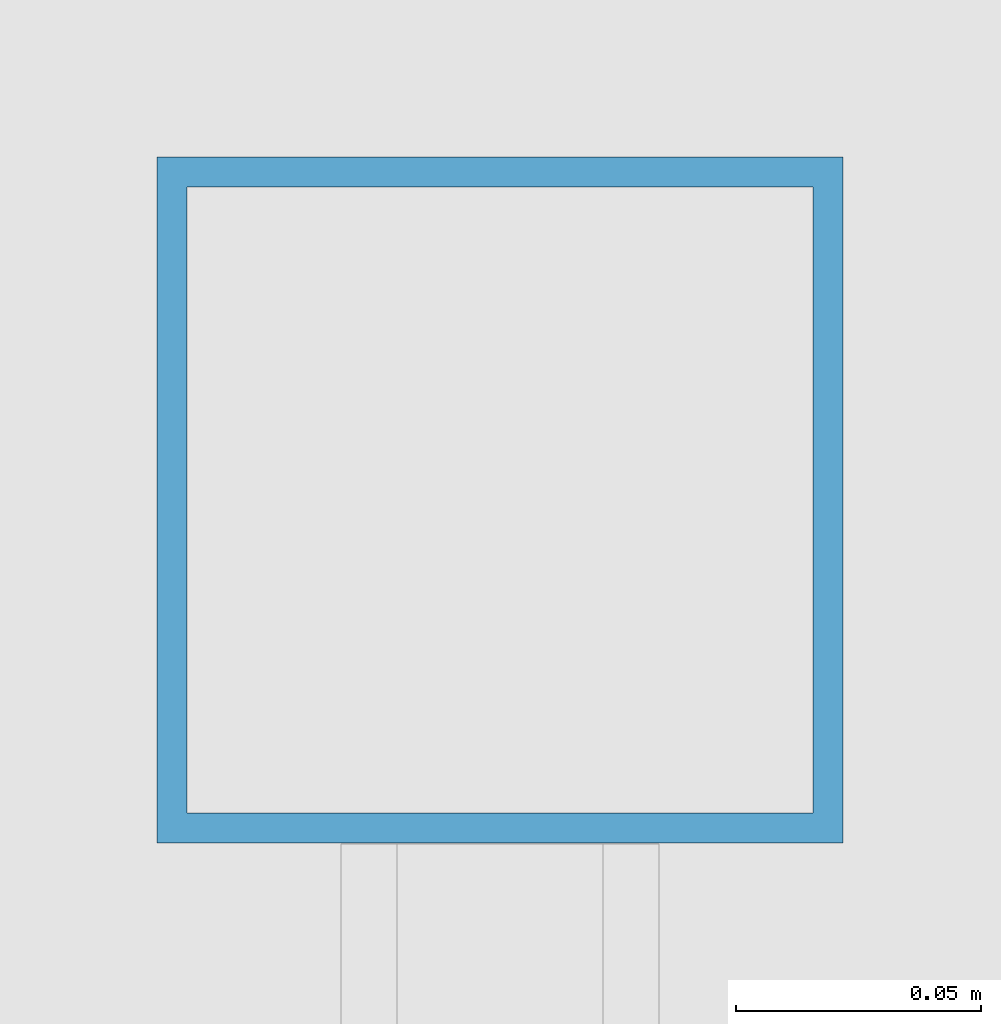
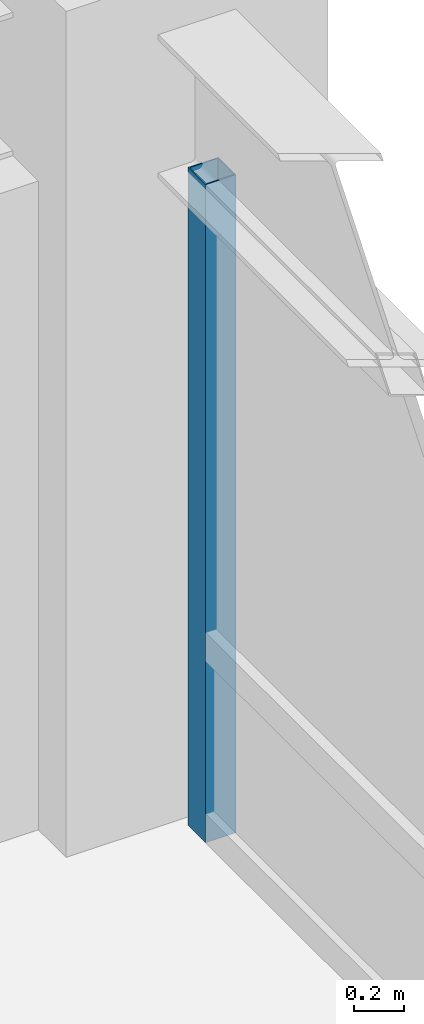
# One storey, part 16 of 28: 1 member, 1 element without a shape of its own.
"""IFC4 building model written with IfcOpenShell, lengths in metres."""

import ifcopenshell
import ifcopenshell.guid

model = None  # the IFC model being written
_history = None  # IfcOwnerHistory: only IFC2X3 demands one
_inside = {}  # id of a spatial element -> (the spatial element, [elements in it])
_under = {}  # id of a project, library or spatial element -> (it, [spatial elements below it])
_declared = {}  # id of a project -> (the project, [libraries it declares])
_typed = {}  # id of a type object -> (the type object, [elements of that type])
_made_of = {}  # id of a material, layer set ... -> (it, [elements and type objects made of it])


def new_model(schema):
    """Start an empty IFC model of exactly this schema.

    Asked for "IFC4X3", IfcOpenShell would pick the latest addendum, in which some entities
    have other attributes; the version numbers below select the first issue.
    IFC2X3 requires an IfcOwnerHistory on every rooted entity: one is made here for all.
    """
    global model, _history
    if schema == "IFC4X3":
        model = ifcopenshell.file(schema_version=(4, 3, 0, 0))
    else:
        model = ifcopenshell.file(schema=schema)
    _inside.clear()
    _under.clear()
    _declared.clear()
    _typed.clear()
    _made_of.clear()
    _history = None
    if model.schema == "IFC2X3":
        org = make("IfcOrganization", Name="unknown")
        user = make(
            "IfcPersonAndOrganization",
            ThePerson=make("IfcPerson", FamilyName="unknown"),
            TheOrganization=org,
        )
        app = make(
            "IfcApplication",
            ApplicationDeveloper=org,
            Version="unknown",
            ApplicationFullName="unknown",
            ApplicationIdentifier="unknown",
        )
        _history = make(
            "IfcOwnerHistory",
            OwningUser=user,
            OwningApplication=app,
            ChangeAction="ADDED",
            CreationDate=0,
        )
    return model


def make(cls, **values):
    """One entity of the class cls with the attributes given. An attribute that is None is left unset."""
    return model.create_entity(
        cls, **{name: value for name, value in values.items() if value is not None}
    )


def rooted(cls, **values):
    """An entity with a GlobalId (a new one), such as an element, a storey or a relation."""
    return make(cls, GlobalId=ifcopenshell.guid.new(), OwnerHistory=_history, **values)


def si_unit(unit_type, name, prefix=None):
    """IfcSIUnit, for example si_unit("LENGTHUNIT", "METRE", prefix="MILLI")."""
    return make("IfcSIUnit", UnitType=unit_type, Prefix=prefix, Name=name)


def assignment(units):
    """IfcUnitAssignment: the units of a project."""
    return None if units is None else make("IfcUnitAssignment", Units=units)


def point(xyz):
    """IfcCartesianPoint."""
    return None if xyz is None else make("IfcCartesianPoint", Coordinates=xyz)


def direction(xyz):
    """IfcDirection."""
    return None if xyz is None else make("IfcDirection", DirectionRatios=xyz)


def frame(location, z_axis=None, x_axis=None):
    """IfcAxis2Placement3D, a coordinate frame: its origin and axes. An axis left out is left unset."""
    return make(
        "IfcAxis2Placement3D",
        Location=point(location),
        Axis=direction(z_axis),
        RefDirection=direction(x_axis),
    )


def frame_2d(location, x_axis=None):
    """IfcAxis2Placement2D, a coordinate frame in the plane: its origin and x axis."""
    return make(
        "IfcAxis2Placement2D", Location=point(location), RefDirection=direction(x_axis)
    )


def origin():
    """The frame at (0, 0, 0) with its axes left unset."""
    return frame((0.0, 0.0, 0.0))


def origin_2d():
    """The frame at (0, 0) in the plane with its x axis left unset."""
    return frame_2d((0.0, 0.0))


def place(relative_to, where):
    """IfcLocalPlacement: puts the frame where relative to a parent placement (None: the world)."""
    return make(
        "IfcLocalPlacement", PlacementRelTo=relative_to, RelativePlacement=where
    )


def context(
    kind, dimensions, precision=None, world=None, true_north=None, identifier=None
):
    """IfcGeometricRepresentationContext, for example the 3D "Model" context."""
    return make(
        "IfcGeometricRepresentationContext",
        ContextIdentifier=identifier,
        ContextType=kind,
        CoordinateSpaceDimension=dimensions,
        Precision=precision,
        WorldCoordinateSystem=world,
        TrueNorth=true_north,
    )


def subcontext(parent, identifier, kind, view, scale=None):
    """IfcGeometricRepresentationSubContext, for example "Body" below "Model"."""
    return make(
        "IfcGeometricRepresentationSubContext",
        ContextIdentifier=identifier,
        ContextType=kind,
        ParentContext=parent,
        TargetScale=scale,
        TargetView=view,
    )


def project(units=None, contexts=None):
    """IfcProject with its units and contexts."""
    return rooted(
        "IfcProject",
        Name="project",
        RepresentationContexts=contexts,
        UnitsInContext=assignment(units),
    )


def spatial(cls, under=None, at=None, **own):
    """A site, building, storey or space (cls), placed at a placement, below another one or the project."""
    s = rooted(cls, ObjectPlacement=at, **own)
    if under is not None:
        _under.setdefault(under.id(), (under, []))[1].append(s)
    return s


def profile(cls, at=None, kind="AREA", **sizes):
    """A parametric profile (cls). Its sizes go by their IFC names, for example OverallWidth=200.0."""
    return make(cls, ProfileType=kind, Position=at, **sizes)


def hollow_rectangle(**sizes):
    """IfcRectangleHollowProfileDef."""
    return profile("IfcRectangleHollowProfileDef", **sizes)


def extrude(swept, where, along, depth):
    """IfcExtrudedAreaSolid: the profile swept, set in the frame where, extruded along a direction by depth."""
    return make(
        "IfcExtrudedAreaSolid",
        SweptArea=swept,
        Position=where,
        ExtrudedDirection=direction(along),
        Depth=depth,
    )


def shape(context_of_items, identifier, shape_type, items):
    """IfcShapeRepresentation: the items that make up one representation, for example the "Body"."""
    return make(
        "IfcShapeRepresentation",
        ContextOfItems=context_of_items,
        RepresentationIdentifier=identifier,
        RepresentationType=shape_type,
        Items=items,
    )


def source(mapping_origin, context_of_items, identifier, shape_type, items):
    """IfcRepresentationMap: a shape defined once, which mapped items show again and again."""
    return make(
        "IfcRepresentationMap",
        MappingOrigin=mapping_origin,
        MappedRepresentation=shape(context_of_items, identifier, shape_type, items),
    )


def transform(
    local_origin,
    x_axis=None,
    y_axis=None,
    z_axis=None,
    scale=None,
    scale2=None,
    scale3=None,
    uniform=True,
):
    """IfcCartesianTransformationOperator3D, or its non-uniform kind. x_axis, y_axis, z_axis: its Axis1, 2, 3."""
    if uniform:
        return make(
            "IfcCartesianTransformationOperator3D",
            Axis1=direction(x_axis),
            Axis2=direction(y_axis),
            LocalOrigin=point(local_origin),
            Scale=scale,
            Axis3=direction(z_axis),
        )
    return make(
        "IfcCartesianTransformationOperator3DnonUniform",
        Axis1=direction(x_axis),
        Axis2=direction(y_axis),
        LocalOrigin=point(local_origin),
        Scale=scale,
        Axis3=direction(z_axis),
        Scale2=scale2,
        Scale3=scale3,
    )


def mapped(mapping_source, mapping_target):
    """IfcMappedItem: shows the shape of a source again, moved by a transform."""
    return make(
        "IfcMappedItem", MappingSource=mapping_source, MappingTarget=mapping_target
    )


def material(Name=None, Category=None):
    """IfcMaterial."""
    return make("IfcMaterial", Name=Name, Category=Category)


def material_profile(
    of_material, cross_section, Name=None, Category=None, Priority=None
):
    """IfcMaterialProfile: a cross section and its material."""
    return make(
        "IfcMaterialProfile",
        Name=Name,
        Material=of_material,
        Profile=cross_section,
        Priority=Priority,
        Category=Category,
    )


def profile_set(profiles, Name=None, composite=None):
    """IfcMaterialProfileSet."""
    return make(
        "IfcMaterialProfileSet",
        Name=Name,
        MaterialProfiles=profiles,
        CompositeProfile=composite,
    )


def made_of(thing, what):
    """Note that an element or type object is made of a material, layer set ...; save() writes the relation."""
    if what is not None:
        _made_of.setdefault(what.id(), (what, []))[1].append(thing)
    return thing


def type_object(cls, material=None, **own):
    """A type object (cls), such as IfcWallType, which elements share."""
    return made_of(rooted(cls, **own), material)


def element(
    cls,
    number,
    at=None,
    inside=None,
    cuts=None,
    type_object=None,
    material=None,
    context=None,
    identifier="Body",
    shape_type=None,
    held_by="IfcProductDefinitionShape",
    body=None,
    shapes=None,
    **own,
):
    """One element of the class cls, such as IfcWall. Its Tag is "e" and its number.

    at: its placement. inside: the storey or other place that contains it. cuts: it is an
    opening in that element (IfcRelVoidsElement). A single representation is given by context,
    identifier, shape_type and body (its items); several are given by shapes. held_by: the class
    of the entity that holds the representations. save() writes the other relations.
    """
    e = rooted(cls, Tag="e%d" % number, ObjectPlacement=at, **own)
    if body is not None:
        shapes = [shape(context, identifier, shape_type, body)]
    if shapes is not None:
        e.Representation = make(held_by, Representations=shapes)
    if inside is not None:
        _inside.setdefault(inside.id(), (inside, []))[1].append(e)
    if cuts is not None:
        rooted(
            "IfcRelVoidsElement", RelatingBuildingElement=cuts, RelatedOpeningElement=e
        )
    if type_object is not None:
        _typed.setdefault(type_object.id(), (type_object, []))[1].append(e)
    return made_of(e, material)


def aggregate(whole, parts):
    """IfcRelAggregates: a whole, such as a stair, and the parts it consists of."""
    return rooted("IfcRelAggregates", RelatingObject=whole, RelatedObjects=parts)


def save(model, path):
    """Write the relations noted so far, then the file.

    IfcRelAggregates (storeys below a building ...), IfcRelContainedInSpatialStructure (elements
    in a storey), IfcRelDefinesByType, IfcRelAssociatesMaterial and IfcRelDeclares: one each for
    every whole, place, type object, material and project.
    """
    for whole, parts in _under.values():
        aggregate(whole, parts)
    for where, things in _inside.values():
        rooted(
            "IfcRelContainedInSpatialStructure",
            RelatedElements=things,
            RelatingStructure=where,
        )
    for kind, things in _typed.values():
        rooted("IfcRelDefinesByType", RelatedObjects=things, RelatingType=kind)
    for what, things in _made_of.values():
        rooted("IfcRelAssociatesMaterial", RelatedObjects=things, RelatingMaterial=what)
    for by, libraries in _declared.values():
        rooted("IfcRelDeclares", RelatingContext=by, RelatedDefinitions=libraries)
    model.write(path)


model = new_model("IFC4")

# Units and contexts
model_context = context("Model", 3, precision=1e-05, world=origin(), true_north=direction((0.0, 1.0)))
body_context = subcontext(model_context, "Body", "Model", "MODEL_VIEW")
ifc_project = project(units=[si_unit("LENGTHUNIT", "METRE"), si_unit("AREAUNIT", "SQUARE_METRE"), si_unit("VOLUMEUNIT", "CUBIC_METRE"), si_unit("PLANEANGLEUNIT", "RADIAN"), si_unit("MASSUNIT", "GRAM", prefix="KILO")], contexts=[model_context])

# Site, building, storey
site_placement = place(None, origin())
site = spatial("IfcSite", under=ifc_project, at=site_placement, CompositionType="ELEMENT")
building_placement = place(site_placement, origin())
building = spatial("IfcBuilding", under=site, at=building_placement, Name="Khorayat Bourse Tower", CompositionType="ELEMENT")
storey_placement = place(building_placement, frame((0.0, 0.0, 124.199951171875)))
storey = spatial("IfcBuildingStorey", under=building, at=storey_placement, Name="L28", CompositionType="ELEMENT", Elevation=124.199951171875)

# Curtain wall, member
ifc_material = material(Name="Aluminium EN AW-6063 T6", Category="aluminium")
curtain_wall_type = type_object("IfcCurtainWallType", Name="CW-SYS-02", PredefinedType="NOTDEFINED", material=ifc_material)
curtain_wall_placement = place(storey_placement, origin())
curtain_wall = element("IfcCurtainWall", 1, at=curtain_wall_placement, inside=storey, type_object=curtain_wall_type, Name="L28 Curtain Wall CW-L28-E1", PredefinedType="NOTDEFINED")
ifc_material_profile = material_profile(ifc_material, hollow_rectangle(XDim=0.139892578125, YDim=0.139892578125, WallThickness=0.006103515625, at=origin_2d()), Name="ALU 140x140x6")
ifc_profile_set = profile_set([ifc_material_profile], Name="Aluminium EN AW-6063 T6")
member_type = type_object("IfcMemberType", Name="CWM-VERT-140", PredefinedType="MULLION", material=ifc_profile_set)
shared_shape = source(origin(), body_context, "Body", "SweptSolid", [
    extrude(hollow_rectangle(XDim=0.139892578125, YDim=0.139892578125, WallThickness=0.006103515625, at=origin_2d()), origin(), (0.0, 0.0, 1.0), 3.18994140625),
])
member_placement = place(storey_placement, frame((32.0, 27.280029296875, 0.0), z_axis=(0.0, 0.0, 1.0), x_axis=(-1.0, 0.0, 0.0)))
member = element("IfcMember", 2, at=member_placement, type_object=member_type, Name="CW-L28-E1 Vertical Mullion 3", PredefinedType="MULLION", context=body_context, shape_type="MappedRepresentation", body=[
    mapped(shared_shape, transform((0.0, 0.0, 0.0), scale=1.0)),
])
aggregate(curtain_wall, [member])

save(model, "model.ifc")
